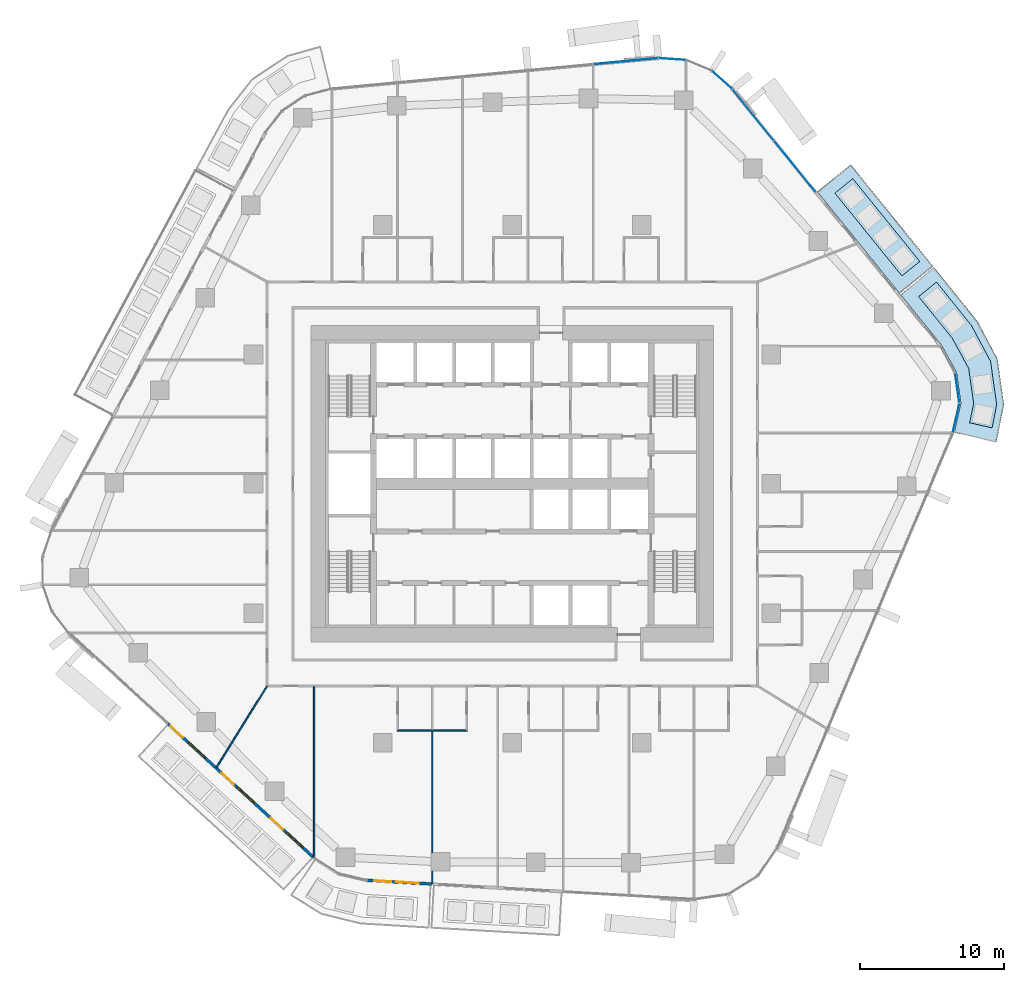
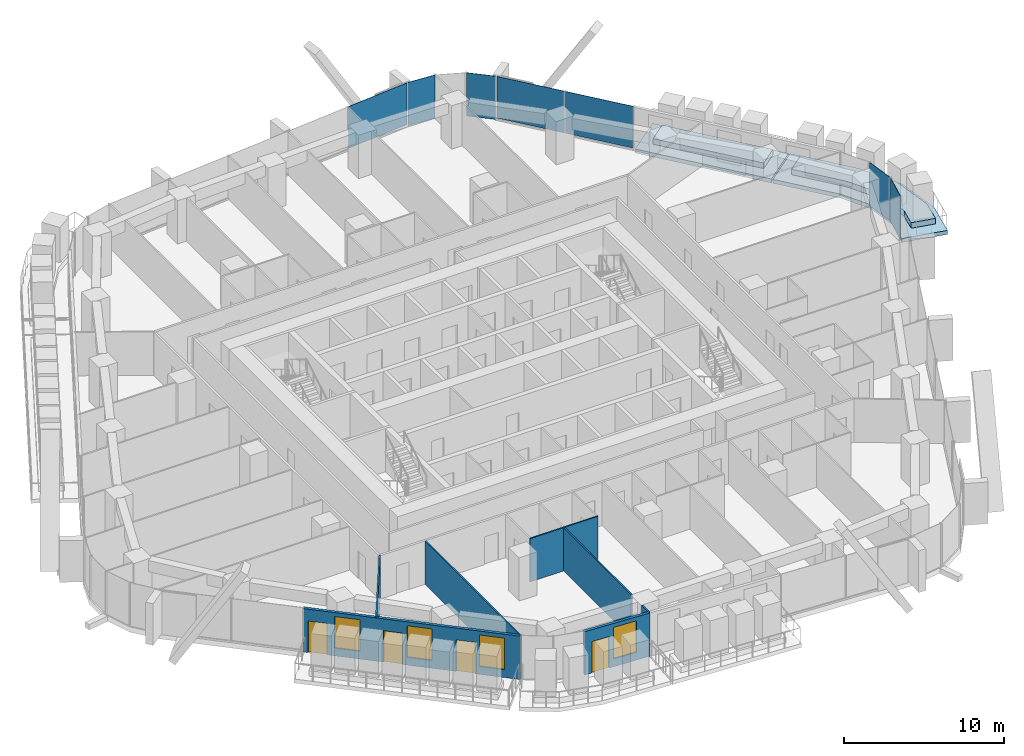
# One storey, part 11 of 23: 7 plates, 7 walls, 4 doors, 4 slabs, 4 windows, 8 openings, 4 elements without a shape of their own.
"""IFC4 building model written with IfcOpenShell, lengths in metres."""

from ifc_helpers import new_model, si_unit, direction, frame, frame_2d, origin, origin_2d, place, context, subcontext, project, spatial, polyline, rectangle, outline, extrude, material, layer, layer_set, type_object, element, fill, aggregate, save


model = new_model("IFC4")

# Units and contexts
model_context = context("Model", 3, precision=1e-05, world=origin(), true_north=direction((0.0, 1.0)))
body_context = subcontext(model_context, "Body", "Model", "MODEL_VIEW")
ifc_project = project(units=[si_unit("LENGTHUNIT", "METRE"), si_unit("AREAUNIT", "SQUARE_METRE"), si_unit("VOLUMEUNIT", "CUBIC_METRE"), si_unit("PLANEANGLEUNIT", "RADIAN"), si_unit("MASSUNIT", "GRAM", prefix="KILO")], contexts=[model_context])

# Site, building, storey
site_placement = place(None, origin())
site = spatial("IfcSite", under=ifc_project, at=site_placement, CompositionType="ELEMENT")
building_placement = place(site_placement, origin())
building = spatial("IfcBuilding", under=site, at=building_placement, Name="Dongbaek Canopy Tower", CompositionType="ELEMENT")
storey_placement = place(building_placement, frame((0.0, 0.0, 121.10009765625)))
storey = spatial("IfcBuildingStorey", under=building, at=storey_placement, Name="L26", CompositionType="ELEMENT", Elevation=121.10009765625)

# Slabs
ifc_material_1 = material(Name="Concrete C40/50", Category="concrete")
ifc_layer_1 = layer(ifc_material_1, 0.300048828125)
ifc_layer_set_1 = layer_set([ifc_layer_1], Name="Balcony slab 300")
slab_type_1 = type_object("IfcSlabType", Name="Balcony slab 300", PredefinedType="FLOOR", material=ifc_layer_set_1)
slab_1_placement = place(storey_placement, frame((0.0, 0.0, -0.300048828125)))
element("IfcSlab", 1, at=slab_1_placement, inside=storey, type_object=slab_type_1, Name="Balcony L26 1", PredefinedType="FLOOR", context=body_context, shape_type="SweptSolid", body=[
    extrude(outline(polyline([(26.938720703125, 13.24365234375), (21.208740234375, 20.31982421875), (23.540283203125, 22.207763671875), (29.27001953125, 15.131591796875), (26.938720703125, 13.24365234375)])), origin(), (0.0, 0.0, 1.0), 0.300048828125),
])
slab_2_placement = place(storey_placement, frame((0.0, 0.0, -0.300048828125)))
element("IfcSlab", 2, at=slab_2_placement, inside=storey, type_object=slab_type_1, Name="Balcony L26 5", PredefinedType="FLOOR", context=body_context, shape_type="SweptSolid", body=[
    extrude(outline(polyline([(30.740234375, 3.56298828125), (31.19873046875, 5.612548828125), (30.898193359375, 7.741455078125), (29.866455078125, 9.6279296875), (27.00146484375, 13.166015625), (29.3330078125, 15.053955078125), (32.3583984375, 11.29833984375), (33.74560546875, 8.686279296875), (34.1962890625, 5.49267578125), (33.667724609375, 2.907958984375), (30.740234375, 3.56298828125)])), origin(), (0.0, 0.0, 1.0), 0.300048828125),
])

# Curtain wall, plates
ifc_material_2 = material(Name="Aluminium 6063-T6 pale anodised", Category="aluminium")
ifc_layer_2 = layer(ifc_material_2, 0.199951171875)
ifc_layer_set_2 = layer_set([ifc_layer_2], Name="CW-1 unitised tower curtain wall")
curtain_wall_type = type_object("IfcCurtainWallType", Name="CW-1 unitised tower curtain wall", PredefinedType="NOTDEFINED", material=ifc_layer_set_2)
curtain_wall_1_placement = place(storey_placement, origin())
curtain_wall_1 = element("IfcCurtainWall", 3, at=curtain_wall_1_placement, inside=storey, type_object=curtain_wall_type, Name="CW-1 curtain wall K0.1", PredefinedType="NOTDEFINED")
ifc_material_3 = material(Name="Clear laminated glass", Category="glass")
ifc_layer_3 = layer(ifc_material_3, 0.028076171875)
ifc_layer_set_3 = layer_set([ifc_layer_3], Name="CW-1 glazed panel 28")
plate_type = type_object("IfcPlateType", Name="CW-1 glazed panel 28", PredefinedType="CURTAIN_PANEL", material=ifc_layer_set_3)
plate_1_placement = place(storey_placement, frame((30.865478515625, 4.58056640625, 0.0), z_axis=(0.0, 0.0, 1.0), x_axis=(0.218338762206, 0.975873037295, 0.0)))
plate_1 = element("IfcPlate", 4, at=plate_1_placement, type_object=plate_type, Name="CW-1 panel K0.1.1.1", PredefinedType="CURTAIN_PANEL", context=body_context, shape_type="SweptSolid", body=[
    extrude(rectangle(XDim=2.038818359375, YDim=0.028076171875, at=origin_2d()), origin(), (0.0, 0.0, 1.0), 3.300048828125),
])
plate_2_placement = place(storey_placement, frame((30.949462890625, 6.6630859375, 0.0), z_axis=(0.0, 0.0, 1.0), x_axis=(-0.139735909712, 0.990188808024, 0.0)))
plate_2 = element("IfcPlate", 5, at=plate_2_placement, type_object=plate_type, Name="CW-1 panel K0.1.2.1", PredefinedType="CURTAIN_PANEL", context=body_context, shape_type="SweptSolid", body=[
    extrude(rectangle(XDim=2.02978515625, YDim=0.028076171875, at=origin_2d()), origin(), (0.0, 0.0, 1.0), 3.300048828125),
])
aggregate(curtain_wall_1, [plate_1, plate_2])

curtain_wall_2_placement = place(storey_placement, origin())
curtain_wall_2 = element("IfcCurtainWall", 6, at=curtain_wall_2_placement, inside=storey, type_object=curtain_wall_type, Name="CW-1 curtain wall F0.1", PredefinedType="NOTDEFINED")
plate_3_placement = place(storey_placement, frame((19.6513671875, 22.084228515625, 0.1201171875), z_axis=(0.0, 0.0, 1.0), x_axis=(-0.629301818982, 0.777161000453, 0.0)))
plate_3 = element("IfcPlate", 7, at=plate_3_placement, type_object=plate_type, Name="CW-1 panel F0.1.1.1", PredefinedType="CURTAIN_PANEL", context=body_context, shape_type="SweptSolid", body=[
    extrude(rectangle(XDim=4.5185546875, YDim=0.028076171875, at=origin_2d()), origin(), (0.0, 0.0, 1.0), 3.179931640625),
])
plate_4_placement = place(storey_placement, frame((16.757568359375, 25.657958984375, 0.1201171875), z_axis=(0.0, 0.0, 1.0), x_axis=(-0.629301818982, 0.777161000453, 0.0)))
plate_4 = element("IfcPlate", 8, at=plate_4_placement, type_object=plate_type, Name="CW-1 panel F0.1.2.1", PredefinedType="CURTAIN_PANEL", context=body_context, shape_type="SweptSolid", body=[
    extrude(rectangle(XDim=4.51025390625, YDim=0.028076171875, at=origin_2d()), origin(), (0.0, 0.0, 1.0), 3.179931640625),
])
aggregate(curtain_wall_2, [plate_3, plate_4])

curtain_wall_3_placement = place(storey_placement, origin())
curtain_wall_3 = element("IfcCurtainWall", 9, at=curtain_wall_3_placement, inside=storey, type_object=curtain_wall_type, Name="CW-1 curtain wall K1.1", PredefinedType="NOTDEFINED")
plate_5_placement = place(storey_placement, frame((14.589111328125, 28.085205078125, 0.0), z_axis=(0.0, 0.0, 1.0), x_axis=(-0.747705892766, 0.664030042937, 0.0)))
plate_5 = element("IfcPlate", 10, at=plate_5_placement, type_object=plate_type, Name="CW-1 panel K1.1.1.1", PredefinedType="CURTAIN_PANEL", context=body_context, shape_type="SweptSolid", body=[
    extrude(rectangle(XDim=1.849853515625, YDim=0.028076171875, at=origin_2d()), origin(), (0.0, 0.0, 1.0), 3.300048828125),
])
plate_6_placement = place(storey_placement, frame((11.126708984375, 29.542236328125, 0.0), z_axis=(0.0, 0.0, 1.0), x_axis=(-0.997522108794, 0.070353695471, 0.0)))
plate_6 = element("IfcPlate", 11, at=plate_6_placement, type_object=plate_type, Name="CW-1 panel K1.1.3.1", PredefinedType="CURTAIN_PANEL", context=body_context, shape_type="SweptSolid", body=[
    extrude(rectangle(XDim=1.849853515625, YDim=0.028076171875, at=origin_2d()), origin(), (0.0, 0.0, 1.0), 3.300048828125),
])
aggregate(curtain_wall_3, [plate_5, plate_6])

# Curtain wall, plate
curtain_wall_4_placement = place(storey_placement, origin())
curtain_wall_4 = element("IfcCurtainWall", 12, at=curtain_wall_4_placement, inside=storey, type_object=curtain_wall_type, Name="CW-1 curtain wall F1.1", PredefinedType="NOTDEFINED")
plate_7_placement = place(storey_placement, frame((7.8955078125, 29.3974609375, 0.1201171875), z_axis=(0.0, 0.0, 1.0), x_axis=(-0.995628871634, -0.093397804951, 0.0)))
plate_7 = element("IfcPlate", 13, at=plate_7_placement, type_object=plate_type, Name="CW-1 panel F1.1.1.1", PredefinedType="CURTAIN_PANEL", context=body_context, shape_type="SweptSolid", body=[
    extrude(rectangle(XDim=4.469482421875, YDim=0.028076171875, at=origin_2d()), origin(), (0.0, 0.0, 1.0), 3.179931640625),
])
aggregate(curtain_wall_4, [plate_7])

# Slabs
ifc_material_4 = material(Name="Reinforced concrete C40/50 planter box with soil", Category="concrete")
ifc_layer_4 = layer(ifc_material_4, 0.419921875)
ifc_layer_set_4 = layer_set([ifc_layer_4], Name="Terrace planter box 1600 x 420")
slab_type_2 = type_object("IfcSlabType", Name="Terrace planter box 1600 x 420", PredefinedType="USERDEFINED", material=ifc_layer_set_4)
slab_3_placement = place(storey_placement, origin())
element("IfcSlab", 14, at=slab_3_placement, inside=storey, type_object=slab_type_2, Name="Balcony planter L26 1", ObjectType="PLANTER", PredefinedType="USERDEFINED", context=body_context, shape_type="SweptSolid", body=[
    extrude(outline(polyline([(27.095458984375, 14.46435546875), (22.435302734375, 20.21923828125), (23.6787109375, 21.22607421875), (28.3388671875, 15.47119140625), (27.095458984375, 14.46435546875)])), origin(), (0.0, 0.0, 1.0), 0.419921875),
])
slab_4_placement = place(storey_placement, origin())
element("IfcSlab", 15, at=slab_4_placement, inside=storey, type_object=slab_type_2, Name="Balcony planter L26 5", ObjectType="PLANTER", PredefinedType="USERDEFINED", context=body_context, shape_type="SweptSolid", body=[
    extrude(outline(polyline([(31.80517578125, 4.246826171875), (32.087890625, 5.576904296875), (31.742919921875, 8.021728515625), (30.605712890625, 10.12353515625), (28.259521484375, 13.026611328125), (29.5029296875, 14.033447265625), (31.934814453125, 11.014404296875), (33.261474609375, 8.525634765625), (33.686767578125, 5.512939453125), (33.36669921875, 3.8974609375), (31.80517578125, 4.246826171875)])), origin(), (0.0, 0.0, 1.0), 0.419921875),
])

# Walls
ifc_material_5 = material(Name="Gypsum board partition, steel stud, 2 x 12.5 mm board", Category="steel")
ifc_layer_5 = layer(ifc_material_5, 0.10009765625)
ifc_layer_set_5 = layer_set([ifc_layer_5], Name="Partition 100 gypsum board")
wall_type_1 = type_object("IfcWallType", Name="Partition 100 gypsum board", PredefinedType="PARTITIONING", material=ifc_layer_set_5)
wall_1_placement = place(storey_placement, frame((-8.01708984375, -17.14990234375, 0.0), z_axis=(0.0, 0.0, 1.0), x_axis=(1.0, 0.0, 0.0)))
element("IfcWall", 16, at=wall_1_placement, inside=storey, type_object=wall_type_1, Name="Partition", PredefinedType="PARTITIONING", context=body_context, shape_type="SweptSolid", body=[
    extrude(rectangle(XDim=4.89990234375, YDim=0.10009765625, at=frame_2d((2.449951171875, 0.0))), origin(), (0.0, 0.0, 1.0), 3.2998046875),
])
wall_2_placement = place(storey_placement, frame((-20.585205078125, -19.74658203125, 0.0), z_axis=(0.0, 0.0, 1.0), x_axis=(0.527253174698, 0.849708238027, 0.0)))
element("IfcWall", 17, at=wall_2_placement, inside=storey, type_object=wall_type_1, Name="Partition", PredefinedType="PARTITIONING", context=body_context, shape_type="SweptSolid", body=[
    extrude(rectangle(XDim=6.704345703125, YDim=0.10009765625, at=frame_2d((3.35205078125, 0.0))), origin(), (0.0, 0.0, 1.0), 3.2998046875),
])
wall_3_placement = place(storey_placement, frame((-5.56689453125, -27.810546875, 0.0), z_axis=(0.0, 0.0, 1.0), x_axis=(0.0, 1.0, 0.0)))
element("IfcWall", 18, at=wall_3_placement, inside=storey, type_object=wall_type_1, Name="Partition", PredefinedType="PARTITIONING", context=body_context, shape_type="SweptSolid", body=[
    extrude(rectangle(XDim=0.87060546875, YDim=0.10009765625, at=frame_2d((0.435302734375, 0.0))), origin(), (0.0, 0.0, 1.0), 3.2998046875),
])
wall_4_placement = place(storey_placement, frame((-5.56689453125, -25.639892578125, 0.0), z_axis=(0.0, 0.0, 1.0), x_axis=(0.0, 1.0, 0.0)))
element("IfcWall", 19, at=wall_4_placement, inside=storey, type_object=wall_type_1, Name="Partition", PredefinedType="PARTITIONING", context=body_context, shape_type="SweptSolid", body=[
    extrude(rectangle(XDim=8.43994140625, YDim=0.10009765625, at=frame_2d((4.219970703125, 0.0))), origin(), (0.0, 0.0, 1.0), 3.2998046875),
])
wall_5_placement = place(storey_placement, frame((-13.777099609375, -25.99169921875, 0.0), z_axis=(0.0, 0.0, 1.0), x_axis=(0.0, 1.0, 0.0)))
element("IfcWall", 20, at=wall_5_placement, inside=storey, type_object=wall_type_1, Name="Partition", PredefinedType="PARTITIONING", context=body_context, shape_type="SweptSolid", body=[
    extrude(rectangle(XDim=11.86669921875, YDim=0.10009765625, at=frame_2d((5.933349609375, 0.0))), origin(), (0.0, 0.0, 1.0), 3.2998046875),
])

# Wall, openings, doors, windows
ifc_material_6 = material(Name="Aluminium window wall", Category="aluminium")
ifc_layer_6 = layer(ifc_material_6, 0.199951171875)
ifc_layer_set_6 = layer_set([ifc_layer_6], Name="Window wall 200")
wall_type_2 = type_object("IfcWallType", Name="Window wall 200", PredefinedType="SOLIDWALL", material=ifc_layer_set_6)
wall_6_placement = place(storey_placement, frame((-24.005615234375, -16.63623046875, 0.0), z_axis=(0.0, 0.0, 1.0), x_axis=(0.736923378069, -0.675976282761, 0.0)))
wall_6 = element("IfcWall", 21, at=wall_6_placement, inside=storey, type_object=wall_type_2, Name="Window wall L26 3", PredefinedType="SOLIDWALL", context=body_context, shape_type="SweptSolid", body=[
    extrude(rectangle(XDim=13.880126953125, YDim=0.199951171875, at=frame_2d((6.93994140625, 0.0))), origin(), (0.0, 0.0, 1.0), 3.2998046875),
])
opening_1_placement = place(wall_6_placement, frame((2.0, 0.0, 0.60009765625)))
opening_1 = element("IfcOpeningElement", 22, at=opening_1_placement, cuts=wall_6, Name="Opening W1", PredefinedType="OPENING", context=body_context, shape_type="SweptSolid", body=[
    extrude(rectangle(XDim=1.60009765625, YDim=2.39990234375, at=frame_2d((0.800048828125, 1.199951171875))), frame((0.0, 0.10986328125, 0.0), z_axis=(0.0, -1.0, 0.0), x_axis=(1.0, 0.0, 0.0)), (0.0, 0.0, 1.0), 0.219970703125),
])
opening_2_placement = place(wall_6_placement, frame((0.300048828125, 0.0, 0.0)))
opening_2 = element("IfcOpeningElement", 23, at=opening_2_placement, cuts=wall_6, Name="Opening L26-B09", PredefinedType="OPENING", context=body_context, shape_type="SweptSolid", body=[
    extrude(rectangle(XDim=1.199951171875, YDim=2.39990234375, at=frame_2d((0.60009765625, 1.199951171875))), frame((0.0, 0.10986328125, 0.0), z_axis=(0.0, -1.0, 0.0), x_axis=(1.0, 0.0, 0.0)), (0.0, 0.0, 1.0), 0.219970703125),
])
opening_3_placement = place(wall_6_placement, frame((6.626708984375, 0.0, 0.60009765625)))
opening_3 = element("IfcOpeningElement", 24, at=opening_3_placement, cuts=wall_6, Name="Opening W1", PredefinedType="OPENING", context=body_context, shape_type="SweptSolid", body=[
    extrude(rectangle(XDim=1.60009765625, YDim=2.39990234375, at=frame_2d((0.800048828125, 1.199951171875))), frame((0.0, 0.10986328125, 0.0), z_axis=(0.0, -1.0, 0.0), x_axis=(1.0, 0.0, 0.0)), (0.0, 0.0, 1.0), 0.219970703125),
])
opening_4_placement = place(wall_6_placement, frame((5.126708984375, 0.0, 0.0)))
opening_4 = element("IfcOpeningElement", 25, at=opening_4_placement, cuts=wall_6, Name="Opening L26-B10", PredefinedType="OPENING", context=body_context, shape_type="SweptSolid", body=[
    extrude(rectangle(XDim=1.199951171875, YDim=2.39990234375, at=frame_2d((0.60009765625, 1.199951171875))), frame((0.0, 0.10986328125, 0.0), z_axis=(0.0, -1.0, 0.0), x_axis=(1.0, 0.0, 0.0)), (0.0, 0.0, 1.0), 0.219970703125),
])
opening_5_placement = place(wall_6_placement, frame((11.25341796875, 0.0, 0.60009765625)))
opening_5 = element("IfcOpeningElement", 26, at=opening_5_placement, cuts=wall_6, Name="Opening W1", PredefinedType="OPENING", context=body_context, shape_type="SweptSolid", body=[
    extrude(rectangle(XDim=1.60009765625, YDim=2.39990234375, at=frame_2d((0.800048828125, 1.199951171875))), frame((0.0, 0.10986328125, 0.0), z_axis=(0.0, -1.0, 0.0), x_axis=(1.0, 0.0, 0.0)), (0.0, 0.0, 1.0), 0.219970703125),
])
opening_6_placement = place(wall_6_placement, frame((9.75341796875, 0.0, 0.0)))
opening_6 = element("IfcOpeningElement", 27, at=opening_6_placement, cuts=wall_6, Name="Opening L26-B11", PredefinedType="OPENING", context=body_context, shape_type="SweptSolid", body=[
    extrude(rectangle(XDim=1.199951171875, YDim=2.39990234375, at=frame_2d((0.60009765625, 1.199951171875))), frame((0.0, 0.10986328125, 0.0), z_axis=(0.0, -1.0, 0.0), x_axis=(1.0, 0.0, 0.0)), (0.0, 0.0, 1.0), 0.219970703125),
])
ifc_material_7 = material(Name="Clear glazing in aluminium frame", Category="aluminium")
door_type = type_object("IfcDoorType", Name="Balcony door BD1 1200 x 2400", OperationType="SLIDING_TO_LEFT", PredefinedType="DOOR", material=ifc_material_7)
door_1_placement = place(opening_2_placement, origin())
door_1 = element("IfcDoor", 28, at=door_1_placement, inside=storey, type_object=door_type, Name="Balcony door L26-B09", OperationType="SLIDING_TO_LEFT", OverallHeight=2.39990234375, OverallWidth=1.199951171875, PredefinedType="DOOR", context=body_context, shape_type="SweptSolid", body=[
    extrude(rectangle(XDim=1.199951171875, YDim=2.39990234375, at=frame_2d((0.60009765625, 1.199951171875))), frame((0.0, 0.02490234375, 0.0), z_axis=(0.0, -1.0, 0.0), x_axis=(1.0, 0.0, 0.0)), (0.0, 0.0, 1.0), 0.050048828125),
])
fill(opening_2, door_1)
door_2_placement = place(opening_4_placement, origin())
door_2 = element("IfcDoor", 29, at=door_2_placement, inside=storey, type_object=door_type, Name="Balcony door L26-B10", OperationType="SLIDING_TO_LEFT", OverallHeight=2.39990234375, OverallWidth=1.199951171875, PredefinedType="DOOR", context=body_context, shape_type="SweptSolid", body=[
    extrude(rectangle(XDim=1.199951171875, YDim=2.39990234375, at=frame_2d((0.60009765625, 1.199951171875))), frame((0.0, 0.02490234375, 0.0), z_axis=(0.0, -1.0, 0.0), x_axis=(1.0, 0.0, 0.0)), (0.0, 0.0, 1.0), 0.050048828125),
])
fill(opening_4, door_2)
door_3_placement = place(opening_6_placement, origin())
door_3 = element("IfcDoor", 30, at=door_3_placement, inside=storey, type_object=door_type, Name="Balcony door L26-B11", OperationType="SLIDING_TO_LEFT", OverallHeight=2.39990234375, OverallWidth=1.199951171875, PredefinedType="DOOR", context=body_context, shape_type="SweptSolid", body=[
    extrude(rectangle(XDim=1.199951171875, YDim=2.39990234375, at=frame_2d((0.60009765625, 1.199951171875))), frame((0.0, 0.02490234375, 0.0), z_axis=(0.0, -1.0, 0.0), x_axis=(1.0, 0.0, 0.0)), (0.0, 0.0, 1.0), 0.050048828125),
])
fill(opening_6, door_3)
ifc_material_8 = material(Name="Clear glazing in aluminium frame", Category="aluminium")
window_type = type_object("IfcWindowType", Name="Window W1 1600 x 2400", PartitioningType="SINGLE_PANEL", PredefinedType="WINDOW", material=ifc_material_8)
window_1_placement = place(opening_1_placement, origin())
window_1 = element("IfcWindow", 31, at=window_1_placement, inside=storey, type_object=window_type, Name="Window L26 3.1", OverallHeight=2.39990234375, OverallWidth=1.60009765625, PartitioningType="SINGLE_PANEL", PredefinedType="WINDOW", context=body_context, shape_type="SweptSolid", body=[
    extrude(rectangle(XDim=1.60009765625, YDim=2.39990234375, at=frame_2d((0.800048828125, 1.199951171875))), frame((0.0, 0.030029296875, 0.0), z_axis=(0.0, -1.0, 0.0), x_axis=(1.0, 0.0, 0.0)), (0.0, 0.0, 1.0), 0.06005859375),
])
fill(opening_1, window_1)
window_2_placement = place(opening_3_placement, origin())
window_2 = element("IfcWindow", 32, at=window_2_placement, inside=storey, type_object=window_type, Name="Window L26 3.2", OverallHeight=2.39990234375, OverallWidth=1.60009765625, PartitioningType="SINGLE_PANEL", PredefinedType="WINDOW", context=body_context, shape_type="SweptSolid", body=[
    extrude(rectangle(XDim=1.60009765625, YDim=2.39990234375, at=frame_2d((0.800048828125, 1.199951171875))), frame((0.0, 0.030029296875, 0.0), z_axis=(0.0, -1.0, 0.0), x_axis=(1.0, 0.0, 0.0)), (0.0, 0.0, 1.0), 0.06005859375),
])
fill(opening_3, window_2)
window_3_placement = place(opening_5_placement, origin())
window_3 = element("IfcWindow", 33, at=window_3_placement, inside=storey, type_object=window_type, Name="Window L26 3.3", OverallHeight=2.39990234375, OverallWidth=1.60009765625, PartitioningType="SINGLE_PANEL", PredefinedType="WINDOW", context=body_context, shape_type="SweptSolid", body=[
    extrude(rectangle(XDim=1.60009765625, YDim=2.39990234375, at=frame_2d((0.800048828125, 1.199951171875))), frame((0.0, 0.030029296875, 0.0), z_axis=(0.0, -1.0, 0.0), x_axis=(1.0, 0.0, 0.0)), (0.0, 0.0, 1.0), 0.06005859375),
])
fill(opening_5, window_3)

# Wall, openings, door, window
wall_7_placement = place(storey_placement, frame((-10.11474609375, -27.567626953125, 0.0), z_axis=(0.0, 0.0, 1.0), x_axis=(0.998332643992, -0.057722889224, 0.0)))
wall_7 = element("IfcWall", 34, at=wall_7_placement, inside=storey, type_object=wall_type_2, Name="Window wall L26 7", PredefinedType="SOLIDWALL", context=body_context, shape_type="SweptSolid", body=[
    extrude(rectangle(XDim=4.55517578125, YDim=0.199951171875, at=frame_2d((2.277587890625, 0.0))), origin(), (0.0, 0.0, 1.0), 3.2998046875),
])
opening_7_placement = place(wall_7_placement, frame((2.0, 0.0, 0.60009765625)))
opening_7 = element("IfcOpeningElement", 35, at=opening_7_placement, cuts=wall_7, Name="Opening W1", PredefinedType="OPENING", context=body_context, shape_type="SweptSolid", body=[
    extrude(rectangle(XDim=1.60009765625, YDim=2.39990234375, at=frame_2d((0.800048828125, 1.199951171875))), frame((0.0, 0.10986328125, 0.0), z_axis=(0.0, -1.0, 0.0), x_axis=(1.0, 0.0, 0.0)), (0.0, 0.0, 1.0), 0.219970703125),
])
opening_8_placement = place(wall_7_placement, frame((0.5, 0.0, 0.0)))
opening_8 = element("IfcOpeningElement", 36, at=opening_8_placement, cuts=wall_7, Name="Opening L26-B14", PredefinedType="OPENING", context=body_context, shape_type="SweptSolid", body=[
    extrude(rectangle(XDim=1.199951171875, YDim=2.39990234375, at=frame_2d((0.60009765625, 1.199951171875))), frame((0.0, 0.10986328125, 0.0), z_axis=(0.0, -1.0, 0.0), x_axis=(1.0, 0.0, 0.0)), (0.0, 0.0, 1.0), 0.219970703125),
])
door_4_placement = place(opening_8_placement, origin())
door_4 = element("IfcDoor", 37, at=door_4_placement, inside=storey, type_object=door_type, Name="Balcony door L26-B14", OperationType="SLIDING_TO_LEFT", OverallHeight=2.39990234375, OverallWidth=1.199951171875, PredefinedType="DOOR", context=body_context, shape_type="SweptSolid", body=[
    extrude(rectangle(XDim=1.199951171875, YDim=2.39990234375, at=frame_2d((0.60009765625, 1.199951171875))), frame((0.0, 0.02490234375, 0.0), z_axis=(0.0, -1.0, 0.0), x_axis=(1.0, 0.0, 0.0)), (0.0, 0.0, 1.0), 0.050048828125),
])
fill(opening_8, door_4)
window_4_placement = place(opening_7_placement, origin())
window_4 = element("IfcWindow", 38, at=window_4_placement, inside=storey, type_object=window_type, Name="Window L26 7.1", OverallHeight=2.39990234375, OverallWidth=1.60009765625, PartitioningType="SINGLE_PANEL", PredefinedType="WINDOW", context=body_context, shape_type="SweptSolid", body=[
    extrude(rectangle(XDim=1.60009765625, YDim=2.39990234375, at=frame_2d((0.800048828125, 1.199951171875))), frame((0.0, 0.030029296875, 0.0), z_axis=(0.0, -1.0, 0.0), x_axis=(1.0, 0.0, 0.0)), (0.0, 0.0, 1.0), 0.06005859375),
])
fill(opening_7, window_4)

save(model, "model.ifc")
